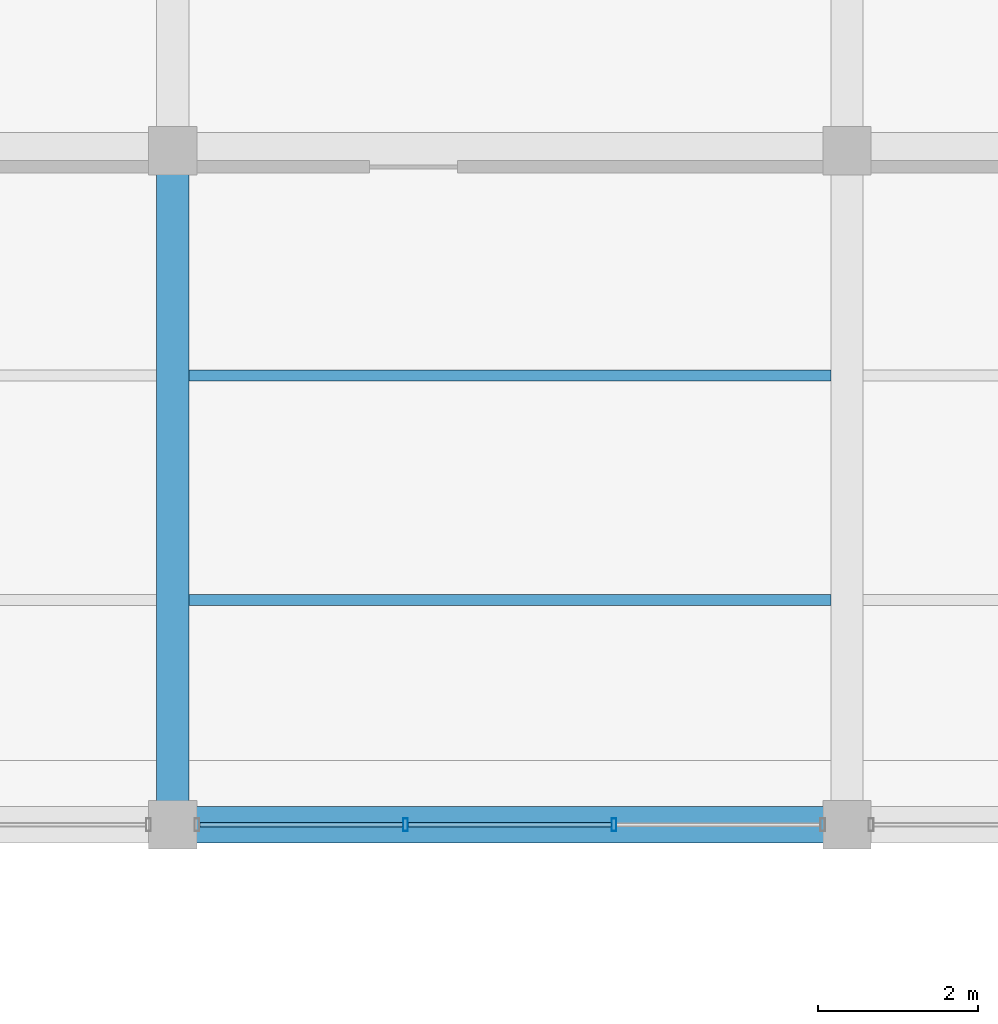
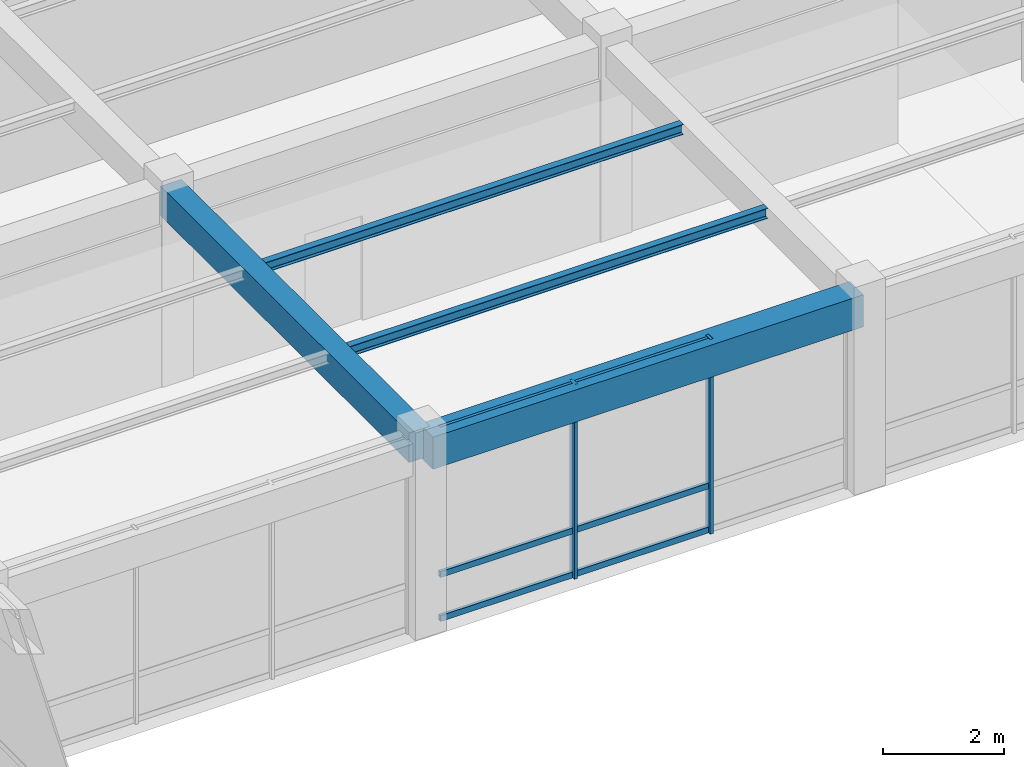
# One storey, part 11 of 114: 8 members, 4 beams, 1 element without a shape of its own.
"""IFC4 building model written with IfcOpenShell, lengths in metres."""

from ifc_helpers import new_model, si_unit, direction, frame, origin, origin_2d, place, context, subcontext, project, spatial, rectangle, hollow_rectangle, i_section, extrude, material, material_profile, profile_set, type_object, element, aggregate, save


model = new_model("IFC4")

# Units and contexts
model_context = context("Model", 3, precision=1e-05, world=origin(), true_north=direction((0.0, 1.0)))
body_context = subcontext(model_context, "Body", "Model", "MODEL_VIEW")
ifc_project = project(units=[si_unit("LENGTHUNIT", "METRE"), si_unit("AREAUNIT", "SQUARE_METRE"), si_unit("VOLUMEUNIT", "CUBIC_METRE"), si_unit("PLANEANGLEUNIT", "RADIAN"), si_unit("MASSUNIT", "GRAM", prefix="KILO"), si_unit("THERMODYNAMICTEMPERATUREUNIT", "KELVIN"), si_unit("POWERUNIT", "WATT")], contexts=[model_context])

# Site, building, storey
site_placement = place(None, origin())
site = spatial("IfcSite", under=ifc_project, at=site_placement, CompositionType="ELEMENT")
building_placement = place(site_placement, origin())
building = spatial("IfcBuilding", under=site, at=building_placement, Name="Darbajah Civic Hall", CompositionType="ELEMENT")
storey_placement = place(building_placement, frame((0.0, 0.0, 13.800048828125)))
storey = spatial("IfcBuildingStorey", under=building, at=storey_placement, Name="L03", CompositionType="ELEMENT", Elevation=13.800048828125)

# Curtain wall, members
ifc_material_1 = material(Name="Anodised Bronze Aluminium and Low-E Glazing", Category="aluminium")
curtain_wall_type = type_object("IfcCurtainWallType", Name="Unitised Curtain Wall CW-100 7800x3950", PredefinedType="USERDEFINED", material=ifc_material_1)
curtain_wall_placement = place(storey_placement, origin())
curtain_wall = element("IfcCurtainWall", 1, at=curtain_wall_placement, inside=storey, type_object=curtain_wall_type, Name="L03 unitised curtain wall CW-V5-L03-S2-B1", ObjectType="UNITISED CURTAIN WALL", PredefinedType="USERDEFINED")
ifc_material_2 = material(Name="Anodised Bronze Aluminium", Category="aluminium")
ifc_material_profile_1 = material_profile(ifc_material_2, hollow_rectangle(XDim=0.06005859375, YDim=0.159912109375, WallThickness=0.00341796875, at=origin_2d()), Name="ALU MULLION 60x160")
ifc_profile_set_1 = profile_set([ifc_material_profile_1], Name="Anodised Bronze Aluminium")
member_type_1 = type_object("IfcMemberType", Name="ALU MULLION 60x160", PredefinedType="MULLION", material=ifc_profile_set_1)
member_1_placement = place(storey_placement, frame((28.1005859375, 16.800048828125, 0.0), z_axis=(0.0, 0.0, 1.0), x_axis=(1.0, 0.0, 0.0)))
member_1 = element("IfcMember", 2, at=member_1_placement, type_object=member_type_1, Name="CW-V5-L03-S2-B1 mullion 2", PredefinedType="MULLION", context=body_context, shape_type="SweptSolid", body=[
    extrude(hollow_rectangle(XDim=0.06005859375, YDim=0.159912109375, WallThickness=0.00341796875, at=origin_2d()), origin(), (0.0, 0.0, 1.0), 3.93994140625),
])
member_2_placement = place(storey_placement, frame((30.69921875, 16.800048828125, 0.0), z_axis=(0.0, 0.0, 1.0), x_axis=(1.0, 0.0, 0.0)))
member_2 = element("IfcMember", 3, at=member_2_placement, type_object=member_type_1, Name="CW-V5-L03-S2-B1 mullion 3", PredefinedType="MULLION", context=body_context, shape_type="SweptSolid", body=[
    extrude(hollow_rectangle(XDim=0.06005859375, YDim=0.159912109375, WallThickness=0.00341796875, at=origin_2d()), origin(), (0.0, 0.0, 1.0), 3.93994140625),
])
ifc_material_profile_2 = material_profile(ifc_material_2, hollow_rectangle(XDim=0.06005859375, YDim=0.1201171875, WallThickness=0.003173828125, at=origin_2d()), Name="ALU TRANSOM 60x120")
ifc_profile_set_2 = profile_set([ifc_material_profile_2], Name="Anodised Bronze Aluminium")
member_type_2 = type_object("IfcMemberType", Name="ALU TRANSOM 60x120", PredefinedType="USERDEFINED", material=ifc_profile_set_2)
member_3_placement = place(storey_placement, frame((25.537109375, 16.800048828125, 0.06005859375), z_axis=(1.0, 0.0, 0.0), x_axis=(0.0, 1.0, 0.0)))
member_3 = element("IfcMember", 4, at=member_3_placement, type_object=member_type_2, Name="CW-V5-L03-S2-B1 transom 1.1", ObjectType="TRANSOM", PredefinedType="USERDEFINED", context=body_context, shape_type="SweptSolid", body=[
    extrude(hollow_rectangle(XDim=0.06005859375, YDim=0.1201171875, WallThickness=0.003173828125, at=origin_2d()), origin(), (0.0, 0.0, 1.0), 2.528564453125),
])
member_4_placement = place(storey_placement, frame((25.537109375, 16.800048828125, 0.949951171875), z_axis=(1.0, 0.0, 0.0), x_axis=(0.0, 1.0, 0.0)))
member_4 = element("IfcMember", 5, at=member_4_placement, type_object=member_type_2, Name="CW-V5-L03-S2-B1 transom 1.2", ObjectType="TRANSOM", PredefinedType="USERDEFINED", context=body_context, shape_type="SweptSolid", body=[
    extrude(hollow_rectangle(XDim=0.06005859375, YDim=0.1201171875, WallThickness=0.003173828125, at=origin_2d()), origin(), (0.0, 0.0, 1.0), 2.528564453125),
])
member_5_placement = place(storey_placement, frame((25.537109375, 16.800048828125, 3.8798828125), z_axis=(1.0, 0.0, 0.0), x_axis=(0.0, 1.0, 0.0)))
member_5 = element("IfcMember", 6, at=member_5_placement, type_object=member_type_2, Name="CW-V5-L03-S2-B1 transom 1.3", ObjectType="TRANSOM", PredefinedType="USERDEFINED", context=body_context, shape_type="SweptSolid", body=[
    extrude(hollow_rectangle(XDim=0.06005859375, YDim=0.1201171875, WallThickness=0.003173828125, at=origin_2d()), origin(), (0.0, 0.0, 1.0), 2.528564453125),
])
member_6_placement = place(storey_placement, frame((28.1357421875, 16.800048828125, 0.06005859375), z_axis=(1.0, 0.0, 0.0), x_axis=(0.0, 1.0, 0.0)))
member_6 = element("IfcMember", 7, at=member_6_placement, type_object=member_type_2, Name="CW-V5-L03-S2-B1 transom 2.1", ObjectType="TRANSOM", PredefinedType="USERDEFINED", context=body_context, shape_type="SweptSolid", body=[
    extrude(hollow_rectangle(XDim=0.06005859375, YDim=0.1201171875, WallThickness=0.003173828125, at=origin_2d()), origin(), (0.0, 0.0, 1.0), 2.528564453125),
])
member_7_placement = place(storey_placement, frame((28.1357421875, 16.800048828125, 0.949951171875), z_axis=(1.0, 0.0, 0.0), x_axis=(0.0, 1.0, 0.0)))
member_7 = element("IfcMember", 8, at=member_7_placement, type_object=member_type_2, Name="CW-V5-L03-S2-B1 transom 2.2", ObjectType="TRANSOM", PredefinedType="USERDEFINED", context=body_context, shape_type="SweptSolid", body=[
    extrude(hollow_rectangle(XDim=0.06005859375, YDim=0.1201171875, WallThickness=0.003173828125, at=origin_2d()), origin(), (0.0, 0.0, 1.0), 2.528564453125),
])
member_8_placement = place(storey_placement, frame((28.1357421875, 16.800048828125, 3.8798828125), z_axis=(1.0, 0.0, 0.0), x_axis=(0.0, 1.0, 0.0)))
member_8 = element("IfcMember", 9, at=member_8_placement, type_object=member_type_2, Name="CW-V5-L03-S2-B1 transom 2.3", ObjectType="TRANSOM", PredefinedType="USERDEFINED", context=body_context, shape_type="SweptSolid", body=[
    extrude(hollow_rectangle(XDim=0.06005859375, YDim=0.1201171875, WallThickness=0.003173828125, at=origin_2d()), origin(), (0.0, 0.0, 1.0), 2.528564453125),
])
aggregate(curtain_wall, [member_1, member_2, member_3, member_4, member_5, member_6, member_7, member_8])

# Beams
ifc_material_3 = material(Name="Concrete C45/55", Category="concrete")
ifc_material_profile_3 = material_profile(ifc_material_3, rectangle(XDim=0.39990234375, YDim=0.60009765625, at=origin_2d()), Name="RC BEAM 400x600")
ifc_profile_set_3 = profile_set([ifc_material_profile_3], Name="Concrete C45/55")
beam_type_1 = type_object("IfcBeamType", Name="RC BEAM 400x600", PredefinedType="BEAM", material=ifc_profile_set_3)
beam_1_placement = place(storey_placement, frame((25.199951171875, 16.8798828125, 3.639892578125), z_axis=(0.0, 1.0, 0.0), x_axis=(-1.0, 0.0, 0.0)))
element("IfcBeam", 10, at=beam_1_placement, inside=storey, type_object=beam_type_1, Name="L03 beam BM-4060", PredefinedType="BEAM", context=body_context, shape_type="SweptSolid", body=[
    extrude(rectangle(XDim=0.39990234375, YDim=0.60009765625, at=origin_2d()), origin(), (0.0, 0.0, 1.0), 8.240234375),
])
ifc_material_profile_4 = material_profile(ifc_material_3, rectangle(XDim=0.449951171875, YDim=0.64990234375, at=origin_2d()), Name="RC BEAM 450x650")
ifc_profile_set_4 = profile_set([ifc_material_profile_4], Name="Concrete C45/55")
beam_type_2 = type_object("IfcBeamType", Name="RC BEAM 450x650", PredefinedType="BEAM", material=ifc_profile_set_4)
beam_2_placement = place(storey_placement, frame((25.280029296875, 16.800048828125, 3.614990234375), z_axis=(1.0, 0.0, 0.0), x_axis=(0.0, 1.0, 0.0)))
element("IfcBeam", 11, at=beam_2_placement, inside=storey, type_object=beam_type_2, Name="L03 beam BM-4565", PredefinedType="BEAM", context=body_context, shape_type="SweptSolid", body=[
    extrude(rectangle(XDim=0.449951171875, YDim=0.64990234375, at=origin_2d()), origin(), (0.0, 0.0, 1.0), 8.239990234375),
])
ifc_material_4 = material(Name="Steel S355JR", Category="steel")
ifc_material_profile_5 = material_profile(ifc_material_4, i_section(OverallWidth=0.1337890625, OverallDepth=0.206787109375, WebThickness=0.00634765625, FlangeThickness=0.009521484375, FilletRadius=0.007568359375, at=origin_2d()), Name="UB 203x133x30")
ifc_profile_set_5 = profile_set([ifc_material_profile_5], Name="Steel S355JR")
beam_type_3 = type_object("IfcBeamType", Name="UB 203x133x30", PredefinedType="JOIST", material=ifc_profile_set_5)
for number, where, z_axis, x_axis, name in (
    (12, (25.39990234375, 19.60009765625, 3.836669921875), (1.0, 0.0, 0.0), (0.0, 1.0, 0.0), "L03 beam SJ-203"),
    (13, (25.39990234375, 22.39990234375, 3.836669921875), (1.0, 0.0, 0.0), (0.0, 1.0, 0.0), "L03 beam SJ-203"),
):
    element("IfcBeam", number, at=place(storey_placement, frame(where, z_axis=z_axis, x_axis=x_axis)), inside=storey, type_object=beam_type_3, Name=name, PredefinedType="JOIST", context=body_context, shape_type="SweptSolid", body=[
        extrude(i_section(OverallWidth=0.1337890625, OverallDepth=0.206787109375, WebThickness=0.00634765625, FlangeThickness=0.009521484375, FilletRadius=0.007568359375, at=origin_2d()), origin(), (0.0, 0.0, 1.0), 8.0),
    ])

save(model, "model.ifc")
